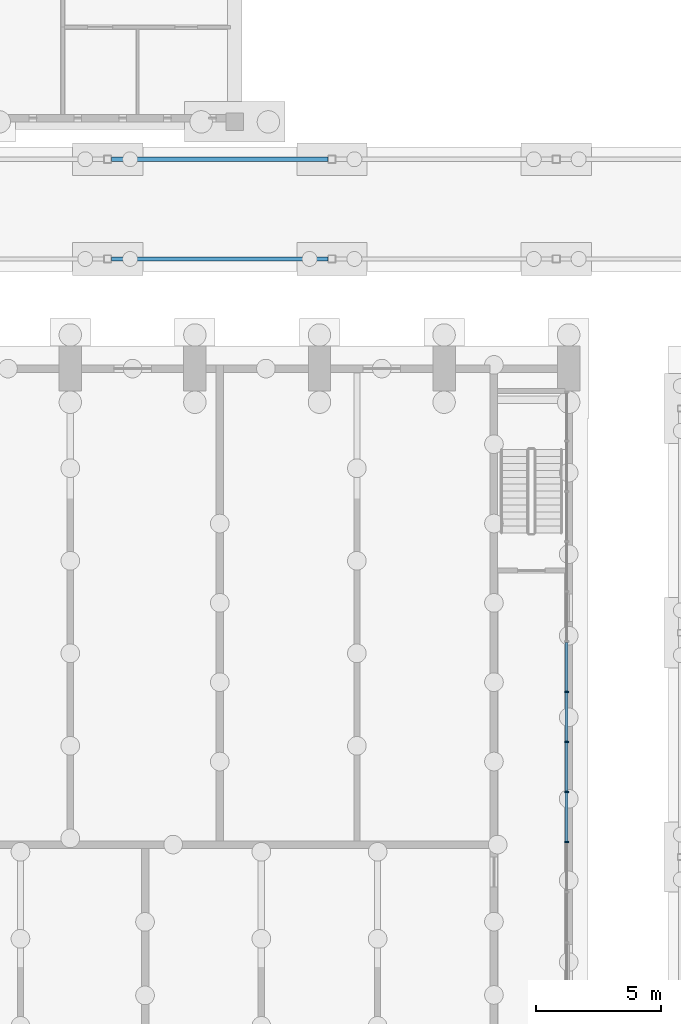
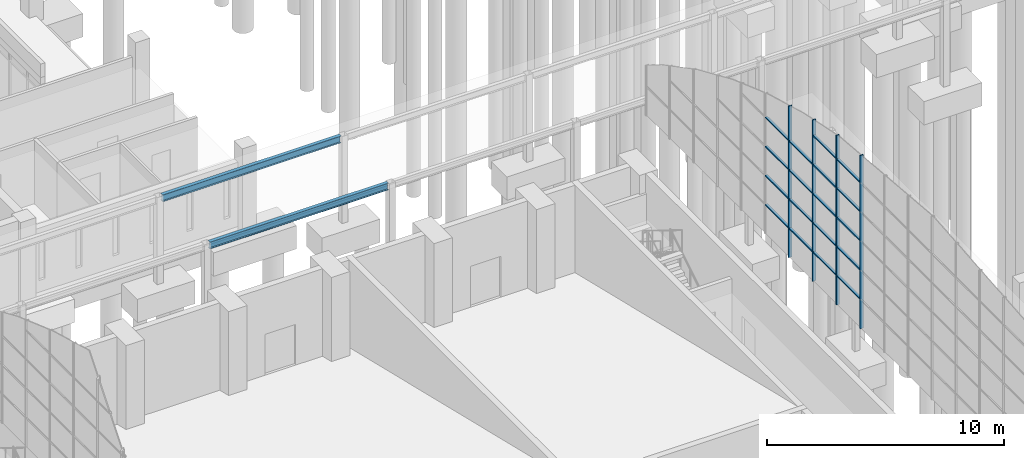
# One storey, part 32 of 106: 22 members, 2 beams, 1 element without a shape of its own.
"""IFC4 building model written with IfcOpenShell, lengths in metres."""

from ifc_helpers import new_model, si_unit, direction, frame, origin, origin_2d, place, context, subcontext, project, spatial, rectangle, i_section, extrude, material, material_profile, profile_set, type_object, element, aggregate, save


model = new_model("IFC4")

# Units and contexts
model_context = context("Model", 3, precision=1e-05, world=origin(), true_north=direction((0.0, 1.0)))
body_context = subcontext(model_context, "Body", "Model", "MODEL_VIEW")
ifc_project = project(units=[si_unit("LENGTHUNIT", "METRE"), si_unit("AREAUNIT", "SQUARE_METRE"), si_unit("VOLUMEUNIT", "CUBIC_METRE"), si_unit("PLANEANGLEUNIT", "RADIAN"), si_unit("MASSUNIT", "GRAM", prefix="KILO")], contexts=[model_context])

# Site, building, storey
site_placement = place(None, origin())
site = spatial("IfcSite", under=ifc_project, at=site_placement, CompositionType="ELEMENT")
building_placement = place(site_placement, origin())
building = spatial("IfcBuilding", under=site, at=building_placement, Name="Merrow Basin Faculty of Sciences", CompositionType="ELEMENT")
storey_placement = place(building_placement, origin())
storey = spatial("IfcBuildingStorey", under=building, at=storey_placement, Name="L00", CompositionType="ELEMENT", Elevation=0.0)

# Curtain wall, members
ifc_material_1 = material(Name="Aluminium alloy 6063", Category="aluminium")
curtain_wall_type = type_object("IfcCurtainWallType", Name="Arched curtain wall 160", PredefinedType="NOTDEFINED", material=ifc_material_1)
curtain_wall_placement = place(storey_placement, origin())
curtain_wall = element("IfcCurtainWall", 1, at=curtain_wall_placement, inside=storey, type_object=curtain_wall_type, Name="East gable glazing C", PredefinedType="NOTDEFINED")
ifc_material_2 = material(Name="Aluminium alloy 6063", Category="aluminium")
ifc_material_profile_1 = material_profile(ifc_material_2, rectangle(XDim=0.159912109375, YDim=0.06005859375, at=origin_2d()))
ifc_profile_set_1 = profile_set([ifc_material_profile_1], Name="Aluminium alloy 6063")
member_type_1 = type_object("IfcMemberType", Name="Aluminium gable mullion 60x160", PredefinedType="MULLION", material=ifc_profile_set_1)
member_1_placement = place(storey_placement, frame((34.919921875, 32.10009765625, 7.5), z_axis=(0.0, 0.0, 1.0), x_axis=(1.0, 0.0, 0.0)))
member_1 = element("IfcMember", 2, at=member_1_placement, type_object=member_type_1, Name="CW4 mullion 10", PredefinedType="MULLION", context=body_context, shape_type="SweptSolid", body=[
    extrude(rectangle(XDim=0.159912109375, YDim=0.06005859375, at=origin_2d()), origin(), (0.0, 0.0, 1.0), 8.916015625),
])
member_2_placement = place(storey_placement, frame((34.919921875, 34.111083984375, 7.5), z_axis=(0.0, 0.0, 1.0), x_axis=(1.0, 0.0, 0.0)))
member_2 = element("IfcMember", 3, at=member_2_placement, type_object=member_type_1, Name="CW4 mullion 11", PredefinedType="MULLION", context=body_context, shape_type="SweptSolid", body=[
    extrude(rectangle(XDim=0.159912109375, YDim=0.06005859375, at=origin_2d()), origin(), (0.0, 0.0, 1.0), 8.72509765625),
])
member_3_placement = place(storey_placement, frame((34.919921875, 36.1220703125, 7.5), z_axis=(0.0, 0.0, 1.0), x_axis=(1.0, 0.0, 0.0)))
member_3 = element("IfcMember", 4, at=member_3_placement, type_object=member_type_1, Name="CW4 mullion 12", PredefinedType="MULLION", context=body_context, shape_type="SweptSolid", body=[
    extrude(rectangle(XDim=0.159912109375, YDim=0.06005859375, at=origin_2d()), origin(), (0.0, 0.0, 1.0), 8.303955078125),
])
member_4_placement = place(storey_placement, frame((34.919921875, 38.133056640625, 7.5), z_axis=(0.0, 0.0, 1.0), x_axis=(1.0, 0.0, 0.0)))
member_4 = element("IfcMember", 5, at=member_4_placement, type_object=member_type_1, Name="CW4 mullion 13", PredefinedType="MULLION", context=body_context, shape_type="SweptSolid", body=[
    extrude(rectangle(XDim=0.159912109375, YDim=0.06005859375, at=origin_2d()), origin(), (0.0, 0.0, 1.0), 7.800048828125),
])
ifc_material_3 = material(Name="Aluminium alloy 6063", Category="aluminium")
ifc_material_profile_2 = material_profile(ifc_material_3, rectangle(XDim=0.1201171875, YDim=0.06005859375, at=origin_2d()))
ifc_profile_set_2 = profile_set([ifc_material_profile_2], Name="Aluminium alloy 6063")
member_type_2 = type_object("IfcMemberType", Name="Aluminium gable transom 60x120", PredefinedType="USERDEFINED", material=ifc_profile_set_2)
member_5_placement = place(storey_placement, frame((34.919921875, 32.1298828125, 9.0), z_axis=(0.0, 1.0, 0.0), x_axis=(-1.0, 0.0, 0.0)))
member_5 = element("IfcMember", 6, at=member_5_placement, type_object=member_type_2, Name="CW4 transom 10.1", ObjectType="TRANSOM", PredefinedType="USERDEFINED", context=body_context, shape_type="SweptSolid", body=[
    extrude(rectangle(XDim=0.1201171875, YDim=0.06005859375, at=origin_2d()), origin(), (0.0, 0.0, 1.0), 1.951171875),
])
member_6_placement = place(storey_placement, frame((34.919921875, 32.1298828125, 10.5), z_axis=(0.0, 1.0, 0.0), x_axis=(-1.0, 0.0, 0.0)))
member_6 = element("IfcMember", 7, at=member_6_placement, type_object=member_type_2, Name="CW4 transom 10.2", ObjectType="TRANSOM", PredefinedType="USERDEFINED", context=body_context, shape_type="SweptSolid", body=[
    extrude(rectangle(XDim=0.1201171875, YDim=0.06005859375, at=origin_2d()), origin(), (0.0, 0.0, 1.0), 1.951171875),
])
member_7_placement = place(storey_placement, frame((34.919921875, 32.1298828125, 12.0), z_axis=(0.0, 1.0, 0.0), x_axis=(-1.0, 0.0, 0.0)))
member_7 = element("IfcMember", 8, at=member_7_placement, type_object=member_type_2, Name="CW4 transom 10.3", ObjectType="TRANSOM", PredefinedType="USERDEFINED", context=body_context, shape_type="SweptSolid", body=[
    extrude(rectangle(XDim=0.1201171875, YDim=0.06005859375, at=origin_2d()), origin(), (0.0, 0.0, 1.0), 1.951171875),
])
member_8_placement = place(storey_placement, frame((34.919921875, 32.1298828125, 13.5), z_axis=(0.0, 1.0, 0.0), x_axis=(-1.0, 0.0, 0.0)))
member_8 = element("IfcMember", 9, at=member_8_placement, type_object=member_type_2, Name="CW4 transom 10.4", ObjectType="TRANSOM", PredefinedType="USERDEFINED", context=body_context, shape_type="SweptSolid", body=[
    extrude(rectangle(XDim=0.1201171875, YDim=0.06005859375, at=origin_2d()), origin(), (0.0, 0.0, 1.0), 1.951171875),
])
member_9_placement = place(storey_placement, frame((34.919921875, 32.1298828125, 15.0), z_axis=(0.0, 1.0, 0.0), x_axis=(-1.0, 0.0, 0.0)))
member_9 = element("IfcMember", 10, at=member_9_placement, type_object=member_type_2, Name="CW4 transom 10.5", ObjectType="TRANSOM", PredefinedType="USERDEFINED", context=body_context, shape_type="SweptSolid", body=[
    extrude(rectangle(XDim=0.1201171875, YDim=0.06005859375, at=origin_2d()), origin(), (0.0, 0.0, 1.0), 1.951171875),
])
member_10_placement = place(storey_placement, frame((34.919921875, 34.14111328125, 9.0), z_axis=(0.0, 1.0, 0.0), x_axis=(-1.0, 0.0, 0.0)))
member_10 = element("IfcMember", 11, at=member_10_placement, type_object=member_type_2, Name="CW4 transom 11.1", ObjectType="TRANSOM", PredefinedType="USERDEFINED", context=body_context, shape_type="SweptSolid", body=[
    extrude(rectangle(XDim=0.1201171875, YDim=0.06005859375, at=origin_2d()), origin(), (0.0, 0.0, 1.0), 1.950927734375),
])
member_11_placement = place(storey_placement, frame((34.919921875, 34.14111328125, 10.5), z_axis=(0.0, 1.0, 0.0), x_axis=(-1.0, 0.0, 0.0)))
member_11 = element("IfcMember", 12, at=member_11_placement, type_object=member_type_2, Name="CW4 transom 11.2", ObjectType="TRANSOM", PredefinedType="USERDEFINED", context=body_context, shape_type="SweptSolid", body=[
    extrude(rectangle(XDim=0.1201171875, YDim=0.06005859375, at=origin_2d()), origin(), (0.0, 0.0, 1.0), 1.950927734375),
])
member_12_placement = place(storey_placement, frame((34.919921875, 34.14111328125, 12.0), z_axis=(0.0, 1.0, 0.0), x_axis=(-1.0, 0.0, 0.0)))
member_12 = element("IfcMember", 13, at=member_12_placement, type_object=member_type_2, Name="CW4 transom 11.3", ObjectType="TRANSOM", PredefinedType="USERDEFINED", context=body_context, shape_type="SweptSolid", body=[
    extrude(rectangle(XDim=0.1201171875, YDim=0.06005859375, at=origin_2d()), origin(), (0.0, 0.0, 1.0), 1.950927734375),
])
member_13_placement = place(storey_placement, frame((34.919921875, 34.14111328125, 13.5), z_axis=(0.0, 1.0, 0.0), x_axis=(-1.0, 0.0, 0.0)))
member_13 = element("IfcMember", 14, at=member_13_placement, type_object=member_type_2, Name="CW4 transom 11.4", ObjectType="TRANSOM", PredefinedType="USERDEFINED", context=body_context, shape_type="SweptSolid", body=[
    extrude(rectangle(XDim=0.1201171875, YDim=0.06005859375, at=origin_2d()), origin(), (0.0, 0.0, 1.0), 1.950927734375),
])
member_14_placement = place(storey_placement, frame((34.919921875, 34.14111328125, 15.0), z_axis=(0.0, 1.0, 0.0), x_axis=(-1.0, 0.0, 0.0)))
member_14 = element("IfcMember", 15, at=member_14_placement, type_object=member_type_2, Name="CW4 transom 11.5", ObjectType="TRANSOM", PredefinedType="USERDEFINED", context=body_context, shape_type="SweptSolid", body=[
    extrude(rectangle(XDim=0.1201171875, YDim=0.06005859375, at=origin_2d()), origin(), (0.0, 0.0, 1.0), 1.950927734375),
])
member_15_placement = place(storey_placement, frame((34.919921875, 36.152099609375, 9.0), z_axis=(0.0, 1.0, 0.0), x_axis=(-1.0, 0.0, 0.0)))
member_15 = element("IfcMember", 16, at=member_15_placement, type_object=member_type_2, Name="CW4 transom 12.1", ObjectType="TRANSOM", PredefinedType="USERDEFINED", context=body_context, shape_type="SweptSolid", body=[
    extrude(rectangle(XDim=0.1201171875, YDim=0.06005859375, at=origin_2d()), origin(), (0.0, 0.0, 1.0), 1.950927734375),
])
member_16_placement = place(storey_placement, frame((34.919921875, 36.152099609375, 10.5), z_axis=(0.0, 1.0, 0.0), x_axis=(-1.0, 0.0, 0.0)))
member_16 = element("IfcMember", 17, at=member_16_placement, type_object=member_type_2, Name="CW4 transom 12.2", ObjectType="TRANSOM", PredefinedType="USERDEFINED", context=body_context, shape_type="SweptSolid", body=[
    extrude(rectangle(XDim=0.1201171875, YDim=0.06005859375, at=origin_2d()), origin(), (0.0, 0.0, 1.0), 1.950927734375),
])
member_17_placement = place(storey_placement, frame((34.919921875, 36.152099609375, 12.0), z_axis=(0.0, 1.0, 0.0), x_axis=(-1.0, 0.0, 0.0)))
member_17 = element("IfcMember", 18, at=member_17_placement, type_object=member_type_2, Name="CW4 transom 12.3", ObjectType="TRANSOM", PredefinedType="USERDEFINED", context=body_context, shape_type="SweptSolid", body=[
    extrude(rectangle(XDim=0.1201171875, YDim=0.06005859375, at=origin_2d()), origin(), (0.0, 0.0, 1.0), 1.950927734375),
])
member_18_placement = place(storey_placement, frame((34.919921875, 36.152099609375, 13.5), z_axis=(0.0, 1.0, 0.0), x_axis=(-1.0, 0.0, 0.0)))
member_18 = element("IfcMember", 19, at=member_18_placement, type_object=member_type_2, Name="CW4 transom 12.4", ObjectType="TRANSOM", PredefinedType="USERDEFINED", context=body_context, shape_type="SweptSolid", body=[
    extrude(rectangle(XDim=0.1201171875, YDim=0.06005859375, at=origin_2d()), origin(), (0.0, 0.0, 1.0), 1.950927734375),
])
member_19_placement = place(storey_placement, frame((34.919921875, 38.1630859375, 9.0), z_axis=(0.0, 1.0, 0.0), x_axis=(-1.0, 0.0, 0.0)))
member_19 = element("IfcMember", 20, at=member_19_placement, type_object=member_type_2, Name="CW4 transom 13.1", ObjectType="TRANSOM", PredefinedType="USERDEFINED", context=body_context, shape_type="SweptSolid", body=[
    extrude(rectangle(XDim=0.1201171875, YDim=0.06005859375, at=origin_2d()), origin(), (0.0, 0.0, 1.0), 1.950927734375),
])
member_20_placement = place(storey_placement, frame((34.919921875, 38.1630859375, 10.5), z_axis=(0.0, 1.0, 0.0), x_axis=(-1.0, 0.0, 0.0)))
member_20 = element("IfcMember", 21, at=member_20_placement, type_object=member_type_2, Name="CW4 transom 13.2", ObjectType="TRANSOM", PredefinedType="USERDEFINED", context=body_context, shape_type="SweptSolid", body=[
    extrude(rectangle(XDim=0.1201171875, YDim=0.06005859375, at=origin_2d()), origin(), (0.0, 0.0, 1.0), 1.950927734375),
])
member_21_placement = place(storey_placement, frame((34.919921875, 38.1630859375, 12.0), z_axis=(0.0, 1.0, 0.0), x_axis=(-1.0, 0.0, 0.0)))
member_21 = element("IfcMember", 22, at=member_21_placement, type_object=member_type_2, Name="CW4 transom 13.3", ObjectType="TRANSOM", PredefinedType="USERDEFINED", context=body_context, shape_type="SweptSolid", body=[
    extrude(rectangle(XDim=0.1201171875, YDim=0.06005859375, at=origin_2d()), origin(), (0.0, 0.0, 1.0), 1.950927734375),
])
member_22_placement = place(storey_placement, frame((34.919921875, 38.1630859375, 13.5), z_axis=(0.0, 1.0, 0.0), x_axis=(-1.0, 0.0, 0.0)))
member_22 = element("IfcMember", 23, at=member_22_placement, type_object=member_type_2, Name="CW4 transom 13.4", ObjectType="TRANSOM", PredefinedType="USERDEFINED", context=body_context, shape_type="SweptSolid", body=[
    extrude(rectangle(XDim=0.1201171875, YDim=0.06005859375, at=origin_2d()), origin(), (0.0, 0.0, 1.0), 1.950927734375),
])
aggregate(curtain_wall, [member_1, member_2, member_3, member_4, member_5, member_6, member_7, member_8, member_9, member_10, member_11, member_12, member_13, member_14, member_15, member_16, member_17, member_18, member_19, member_20, member_21, member_22])

# Beams
ifc_material_4 = material(Name="Steel ASTM A992", Category="steel")
ifc_material_profile_3 = material_profile(ifc_material_4, i_section(OverallWidth=0.1708984375, OverallDepth=0.35498046875, WebThickness=0.007080078125, FlangeThickness=0.01171875, at=origin_2d()))
ifc_profile_set_3 = profile_set([ifc_material_profile_3], Name="Steel ASTM A992")
beam_type = type_object("IfcBeamType", Name="Canopy beam W360x51", PredefinedType="BEAM", material=ifc_profile_set_3)
for number, where, z_axis, x_axis, name in (
    (24, (16.652099609375, 55.5, 4.001953125), (1.0, 0.0, 0.0), (0.0, 1.0, 0.0), "CB1 L00 003"),
    (25, (16.652099609375, 59.5, 4.001953125), (1.0, 0.0, 0.0), (0.0, 1.0, 0.0), "CB1 L00 011"),
):
    element("IfcBeam", number, at=place(storey_placement, frame(where, z_axis=z_axis, x_axis=x_axis)), inside=storey, type_object=beam_type, Name=name, PredefinedType="BEAM", context=body_context, shape_type="SweptSolid", body=[
        extrude(i_section(OverallWidth=0.1708984375, OverallDepth=0.35498046875, WebThickness=0.007080078125, FlangeThickness=0.01171875, at=origin_2d()), origin(), (0.0, 0.0, 1.0), 8.69580078125),
    ])

save(model, "model.ifc")
